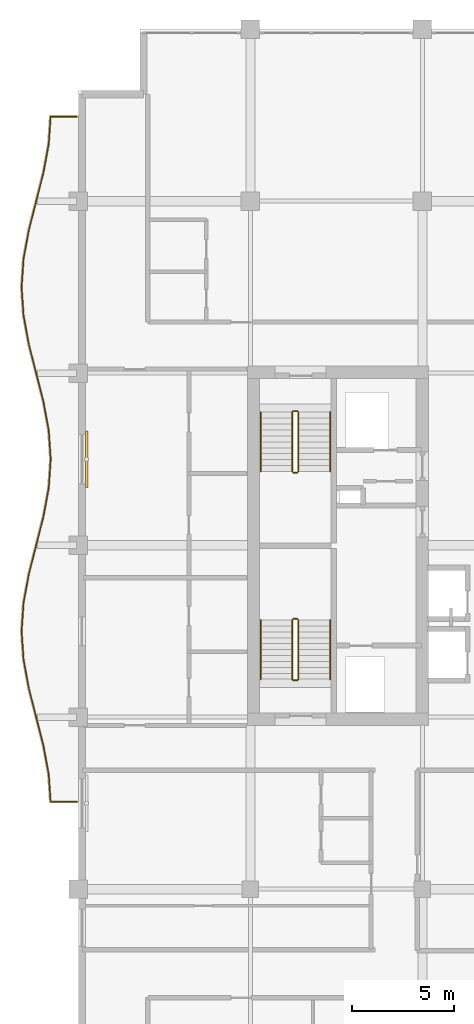
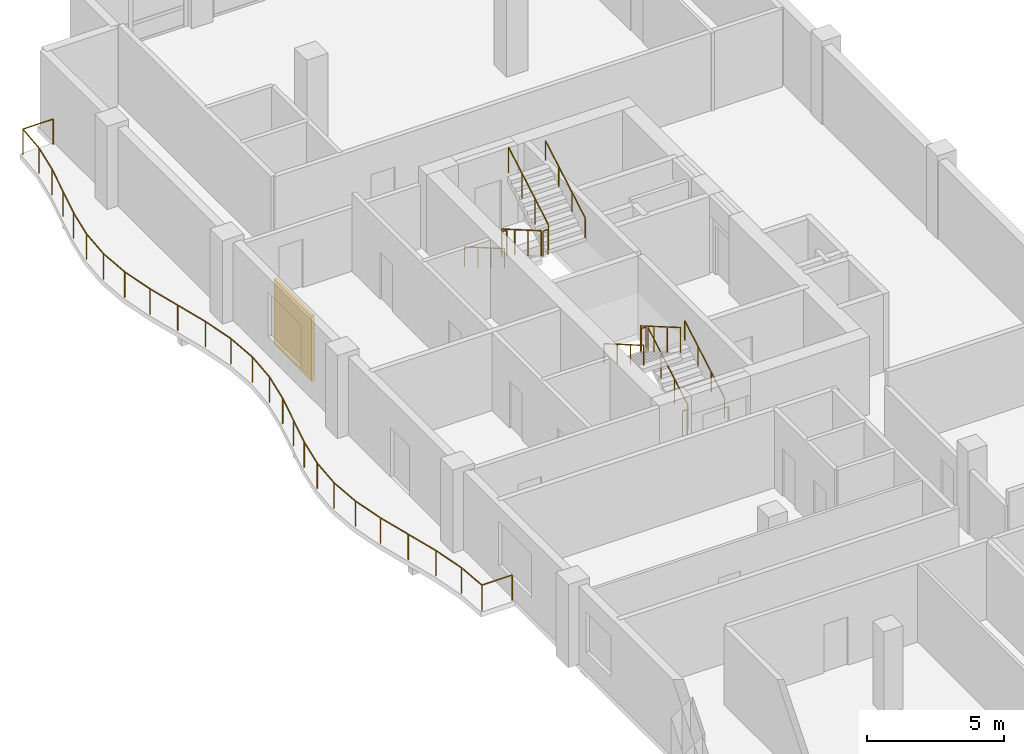
# One storey, part 15 of 16: 13 railings, 1 shading device.
"""IFC4 building model written with IfcOpenShell, lengths in metres."""

from ifc_helpers import new_model, si_unit, direction, frame, origin, origin_2d, place, context, subcontext, project, spatial, rectangle, circle, extrude, material, layer, layer_set, type_object, element, save


model = new_model("IFC4")

# Units and contexts
model_context = context("Model", 3, precision=1e-05, world=origin(), true_north=direction((0.0, 1.0)))
body_context = subcontext(model_context, "Body", "Model", "MODEL_VIEW")
ifc_project = project(units=[si_unit("LENGTHUNIT", "METRE"), si_unit("AREAUNIT", "SQUARE_METRE"), si_unit("VOLUMEUNIT", "CUBIC_METRE"), si_unit("PLANEANGLEUNIT", "RADIAN"), si_unit("MASSUNIT", "GRAM", prefix="KILO")], contexts=[model_context])

# Site, building, storey
site_placement = place(None, origin())
site = spatial("IfcSite", under=ifc_project, at=site_placement, CompositionType="ELEMENT")
building_placement = place(site_placement, origin())
building = spatial("IfcBuilding", under=site, at=building_placement, Name="Koriwani Terraces Tower", CompositionType="ELEMENT")
storey_placement = place(building_placement, frame((0.0, 0.0, 267.5)))
storey = spatial("IfcBuildingStorey", under=building, at=storey_placement, Name="L66", CompositionType="ELEMENT", Elevation=267.5)

# Railings
ifc_material_1 = material(Name="Steel ASTM A572 Grade 50", Category="steel")
railing_type_1 = type_object("IfcRailingType", Name="GUARD_BALUSTRADE_1150", PredefinedType="BALUSTRADE", material=ifc_material_1)
railing_1_placement = place(storey_placement, frame((8.320068359375, 37.8798828125, 0.0)))
element("IfcRailing", 1, at=railing_1_placement, inside=storey, type_object=railing_type_1, Name="L66 Balcony Perimeter Safety Balustrade (W)", PredefinedType="BALUSTRADE", context=body_context, shape_type="SweptSolid", body=[
    extrude(circle(Radius=0.02392578125, at=origin_2d()), frame((0.0, 0.0, 1.1259765625), z_axis=(-1.0, 0.0, 0.0), x_axis=(0.0, -1.0, 0.0)), (0.0, 0.0, 1.0), 1.275146484375),
    extrude(circle(Radius=0.02392578125, at=origin_2d()), frame((-1.275146484375, 0.0, 1.1259765625), z_axis=(-0.068123313151, 0.997676908726, 0.0), x_axis=(-0.997676908726, -0.068123313151, 0.0)), (0.0, 0.0, 1.0), 1.333251953125),
    extrude(circle(Radius=0.02392578125, at=origin_2d()), frame((-1.365966796875, 1.330078125, 1.1259765625), z_axis=(-0.182351913416, 0.983233329212, 0.0), x_axis=(-0.983233329212, -0.182351913416, 0.0)), (0.0, 0.0, 1.0), 1.43115234375),
    extrude(circle(Radius=0.02392578125, at=origin_2d()), frame((-1.626953125, 2.7373046875, 1.1259765625), z_axis=(-0.245775750895, 0.969326714928, 0.0), x_axis=(-0.969326714928, -0.245775750895, 0.0)), (0.0, 0.0, 1.0), 2.888671875),
    extrude(circle(Radius=0.02392578125, at=origin_2d()), frame((-2.3369140625, 5.537353515625, 1.1259765625), z_axis=(-0.182508895706, 0.98320420208, 0.0), x_axis=(-0.98320420208, -0.182508895706, 0.0)), (0.0, 0.0, 1.0), 1.41650390625),
    extrude(circle(Radius=0.02392578125, at=origin_2d()), frame((-2.595458984375, 6.93017578125, 1.1259765625), z_axis=(-0.067821696155, 0.997697457915, 0.0), x_axis=(-0.997697457915, -0.067821696155, 0.0)), (0.0, 0.0, 1.0), 1.39306640625),
    extrude(circle(Radius=0.02392578125, at=origin_2d()), frame((-2.68994140625, 8.320068359375, 1.1259765625), z_axis=(0.067809839848, 0.997698263815, 0.0), x_axis=(-0.997698263815, 0.067809839848, 0.0)), (0.0, 0.0, 1.0), 1.393310546875),
    extrude(circle(Radius=0.02392578125, at=origin_2d()), frame((-2.595458984375, 9.710205078125, 1.1259765625), z_axis=(0.182508895706, 0.98320420208, 0.0), x_axis=(-0.98320420208, 0.182508895706, 0.0)), (0.0, 0.0, 1.0), 1.41650390625),
    extrude(circle(Radius=0.02392578125, at=origin_2d()), frame((-2.3369140625, 11.10302734375, 1.1259765625), z_axis=(0.245775750895, 0.969326714928, 0.0), x_axis=(-0.969326714928, 0.245775750895, 0.0)), (0.0, 0.0, 1.0), 2.888671875),
    extrude(circle(Radius=0.02392578125, at=origin_2d()), frame((-1.626953125, 13.903076171875, 1.1259765625), z_axis=(0.182382502828, 0.983227655562, 0.0), x_axis=(-0.983227655562, 0.182382502828, 0.0)), (0.0, 0.0, 1.0), 1.430908203125),
    extrude(circle(Radius=0.02392578125, at=origin_2d()), frame((-1.365966796875, 15.31005859375, 1.1259765625), z_axis=(0.067711278299, 0.997704957786, 0.0), x_axis=(-0.997704957786, 0.067711278299, 0.0)), (0.0, 0.0, 1.0), 1.413330078125),
    extrude(circle(Radius=0.02392578125, at=origin_2d()), frame((-1.270263671875, 16.72021484375, 1.1259765625), z_axis=(-0.067722949425, 0.997704165633, 0.0), x_axis=(-0.997704165633, -0.067722949425, 0.0)), (0.0, 0.0, 1.0), 1.4130859375),
    extrude(circle(Radius=0.02392578125, at=origin_2d()), frame((-1.365966796875, 18.130126953125, 1.1259765625), z_axis=(-0.182382502828, 0.983227655562, 0.0), x_axis=(-0.983227655562, -0.182382502828, 0.0)), (0.0, 0.0, 1.0), 1.430908203125),
    extrude(circle(Radius=0.02392578125, at=origin_2d()), frame((-1.626953125, 19.537109375, 1.1259765625), z_axis=(-0.245755617389, 0.969331819617, 0.0), x_axis=(-0.969331819617, -0.245755617389, 0.0)), (0.0, 0.0, 1.0), 2.888916015625),
    extrude(circle(Radius=0.02392578125, at=origin_2d()), frame((-2.3369140625, 22.33740234375, 1.1259765625), z_axis=(-0.182508895706, 0.98320420208, 0.0), x_axis=(-0.98320420208, -0.182508895706, 0.0)), (0.0, 0.0, 1.0), 1.41650390625),
    extrude(circle(Radius=0.02392578125, at=origin_2d()), frame((-2.595458984375, 23.730224609375, 1.1259765625), z_axis=(-0.067821696155, 0.997697457915, 0.0), x_axis=(-0.997697457915, -0.067821696155, 0.0)), (0.0, 0.0, 1.0), 1.39306640625),
    extrude(circle(Radius=0.02392578125, at=origin_2d()), frame((-2.68994140625, 25.1201171875, 1.1259765625), z_axis=(0.067821696155, 0.997697457915, 0.0), x_axis=(-0.997697457915, 0.067821696155, 0.0)), (0.0, 0.0, 1.0), 1.39306640625),
    extrude(circle(Radius=0.02392578125, at=origin_2d()), frame((-2.595458984375, 26.510009765625, 1.1259765625), z_axis=(0.182508895706, 0.98320420208, 0.0), x_axis=(-0.98320420208, 0.182508895706, 0.0)), (0.0, 0.0, 1.0), 1.41650390625),
    extrude(circle(Radius=0.02392578125, at=origin_2d()), frame((-2.3369140625, 27.90283203125, 1.1259765625), z_axis=(0.245755617389, 0.969331819617, 0.0), x_axis=(-0.969331819617, 0.245755617389, 0.0)), (0.0, 0.0, 1.0), 2.888916015625),
    extrude(circle(Radius=0.02392578125, at=origin_2d()), frame((-1.626953125, 30.703125, 1.1259765625), z_axis=(0.182382502828, 0.983227655562, 0.0), x_axis=(-0.983227655562, 0.182382502828, 0.0)), (0.0, 0.0, 1.0), 1.430908203125),
    extrude(circle(Radius=0.02392578125, at=origin_2d()), frame((-1.365966796875, 32.110107421875, 1.1259765625), z_axis=(0.068123313151, 0.997676908726, 0.0), x_axis=(-0.997676908726, 0.068123313151, 0.0)), (0.0, 0.0, 1.0), 1.333251953125),
    extrude(circle(Radius=0.02392578125, at=origin_2d()), frame((-1.275146484375, 33.440185546875, 1.1259765625), z_axis=(1.0, 0.0, 0.0), x_axis=(0.0, 1.0, 0.0)), (0.0, 0.0, 1.0), 1.275146484375),
    extrude(circle(Radius=0.02099609375, at=origin_2d()), origin(), (0.0, 0.0, 1.0), 1.101806640625),
    extrude(circle(Radius=0.02099609375, at=origin_2d()), frame((-1.275146484375, 0.0, 0.0)), (0.0, 0.0, 1.0), 1.101806640625),
    extrude(circle(Radius=0.02099609375, at=origin_2d()), frame((-1.365966796875, 1.330078125, 0.0)), (0.0, 0.0, 1.0), 1.101806640625),
    extrude(circle(Radius=0.02099609375, at=origin_2d()), frame((-1.626953125, 2.7373046875, 0.0)), (0.0, 0.0, 1.0), 1.101806640625),
    extrude(circle(Radius=0.02099609375, at=origin_2d()), frame((-1.98193359375, 4.13720703125, 0.0)), (0.0, 0.0, 1.0), 1.101806640625),
    extrude(circle(Radius=0.02099609375, at=origin_2d()), frame((-2.3369140625, 5.537353515625, 0.0)), (0.0, 0.0, 1.0), 1.101806640625),
    extrude(circle(Radius=0.02099609375, at=origin_2d()), frame((-2.595458984375, 6.93017578125, 0.0)), (0.0, 0.0, 1.0), 1.101806640625),
    extrude(circle(Radius=0.02099609375, at=origin_2d()), frame((-2.68994140625, 8.320068359375, 0.0)), (0.0, 0.0, 1.0), 1.101806640625),
    extrude(circle(Radius=0.02099609375, at=origin_2d()), frame((-2.595458984375, 9.710205078125, 0.0)), (0.0, 0.0, 1.0), 1.101806640625),
    extrude(circle(Radius=0.02099609375, at=origin_2d()), frame((-2.3369140625, 11.10302734375, 0.0)), (0.0, 0.0, 1.0), 1.101806640625),
    extrude(circle(Radius=0.02099609375, at=origin_2d()), frame((-1.98193359375, 12.5029296875, 0.0)), (0.0, 0.0, 1.0), 1.101806640625),
    extrude(circle(Radius=0.02099609375, at=origin_2d()), frame((-1.626953125, 13.903076171875, 0.0)), (0.0, 0.0, 1.0), 1.101806640625),
    extrude(circle(Radius=0.02099609375, at=origin_2d()), frame((-1.365966796875, 15.31005859375, 0.0)), (0.0, 0.0, 1.0), 1.101806640625),
    extrude(circle(Radius=0.02099609375, at=origin_2d()), frame((-1.270263671875, 16.72021484375, 0.0)), (0.0, 0.0, 1.0), 1.101806640625),
    extrude(circle(Radius=0.02099609375, at=origin_2d()), frame((-1.365966796875, 18.130126953125, 0.0)), (0.0, 0.0, 1.0), 1.101806640625),
    extrude(circle(Radius=0.02099609375, at=origin_2d()), frame((-1.626953125, 19.537109375, 0.0)), (0.0, 0.0, 1.0), 1.101806640625),
    extrude(circle(Radius=0.02099609375, at=origin_2d()), frame((-1.98193359375, 20.937255859375, 0.0)), (0.0, 0.0, 1.0), 1.101806640625),
    extrude(circle(Radius=0.02099609375, at=origin_2d()), frame((-2.3369140625, 22.33740234375, 0.0)), (0.0, 0.0, 1.0), 1.101806640625),
    extrude(circle(Radius=0.02099609375, at=origin_2d()), frame((-2.595458984375, 23.730224609375, 0.0)), (0.0, 0.0, 1.0), 1.101806640625),
    extrude(circle(Radius=0.02099609375, at=origin_2d()), frame((-2.68994140625, 25.1201171875, 0.0)), (0.0, 0.0, 1.0), 1.101806640625),
    extrude(circle(Radius=0.02099609375, at=origin_2d()), frame((-2.595458984375, 26.510009765625, 0.0)), (0.0, 0.0, 1.0), 1.101806640625),
    extrude(circle(Radius=0.02099609375, at=origin_2d()), frame((-2.3369140625, 27.90283203125, 0.0)), (0.0, 0.0, 1.0), 1.101806640625),
    extrude(circle(Radius=0.02099609375, at=origin_2d()), frame((-1.98193359375, 29.302978515625, 0.0)), (0.0, 0.0, 1.0), 1.101806640625),
    extrude(circle(Radius=0.02099609375, at=origin_2d()), frame((-1.626953125, 30.703125, 0.0)), (0.0, 0.0, 1.0), 1.101806640625),
    extrude(circle(Radius=0.02099609375, at=origin_2d()), frame((-1.365966796875, 32.110107421875, 0.0)), (0.0, 0.0, 1.0), 1.101806640625),
    extrude(circle(Radius=0.02099609375, at=origin_2d()), frame((-1.275146484375, 33.440185546875, 0.0)), (0.0, 0.0, 1.0), 1.101806640625),
    extrude(circle(Radius=0.02099609375, at=origin_2d()), frame((0.0, 33.440185546875, 0.0)), (0.0, 0.0, 1.0), 1.101806640625),
])
railing_type_2 = type_object("IfcRailingType", Name="GUARD_STAIR_WELL_1120", PredefinedType="GUARDRAIL", material=ifc_material_1)
railing_2_placement = place(storey_placement, frame((19.14990234375, 43.85009765625, 0.168212890625)))
element("IfcRailing", 2, at=railing_2_placement, inside=storey, type_object=railing_type_2, Name="L66 ST-W1 stair guard 1", PredefinedType="GUARDRAIL", context=body_context, shape_type="SweptSolid", body=[
    extrude(circle(Radius=0.02392578125, at=origin_2d()), frame((0.0, 0.0, 1.1259765625), z_axis=(0.0, 0.865038774852, 0.501705010941), x_axis=(-1.0, 0.0, 0.0)), (0.0, 0.0, 1.0), 3.352294921875),
    extrude(circle(Radius=0.02099609375, at=origin_2d()), origin(), (0.0, 0.0, 1.0), 1.101806640625),
    extrude(circle(Radius=0.02099609375, at=origin_2d()), frame((0.0, 0.966552734375, 0.560546875)), (0.0, 0.0, 1.0), 1.101806640625),
    extrude(circle(Radius=0.02099609375, at=origin_2d()), frame((0.0, 1.933349609375, 1.121337890625)), (0.0, 0.0, 1.0), 1.101806640625),
    extrude(circle(Radius=0.02099609375, at=origin_2d()), frame((0.0, 2.89990234375, 1.681884765625)), (0.0, 0.0, 1.0), 1.101806640625),
])
railing_3_placement = place(storey_placement, frame((19.10009765625, 46.800048828125, 1.85009765625)))
element("IfcRailing", 3, at=railing_3_placement, inside=storey, type_object=railing_type_2, Name="L66 ST-W1 stair guard 2", PredefinedType="GUARDRAIL", context=body_context, shape_type="SweptSolid", body=[
    extrude(circle(Radius=0.02392578125, at=origin_2d()), frame((0.0, 0.0, 1.1259765625), z_axis=(-1.0, 0.0, 0.0), x_axis=(0.0, -1.0, 0.0)), (0.0, 0.0, 1.0), 0.2001953125),
    extrude(circle(Radius=0.02099609375, at=origin_2d()), origin(), (0.0, 0.0, 1.0), 1.101806640625),
    extrude(circle(Radius=0.02099609375, at=origin_2d()), frame((-0.2001953125, 0.0, 0.0)), (0.0, 0.0, 1.0), 1.101806640625),
])
railing_4_placement = place(storey_placement, frame((18.85009765625, 46.75, 2.01806640625)))
element("IfcRailing", 4, at=railing_4_placement, inside=storey, type_object=railing_type_2, Name="L66 ST-W1 stair guard 3", PredefinedType="GUARDRAIL", context=body_context, shape_type="SweptSolid", body=[
    extrude(circle(Radius=0.02392578125, at=origin_2d()), frame((0.0, 0.0, 1.1259765625), z_axis=(0.0, -0.865038774852, 0.501705010941), x_axis=(1.0, 0.0, 0.0)), (0.0, 0.0, 1.0), 3.352294921875),
    extrude(circle(Radius=0.02099609375, at=origin_2d()), origin(), (0.0, 0.0, 1.0), 1.101806640625),
    extrude(circle(Radius=0.02099609375, at=origin_2d()), frame((0.0, -0.966552734375, 0.560546875)), (0.0, 0.0, 1.0), 1.101806640625),
    extrude(circle(Radius=0.02099609375, at=origin_2d()), frame((0.0, -1.933349609375, 1.121337890625)), (0.0, 0.0, 1.0), 1.101806640625),
    extrude(circle(Radius=0.02099609375, at=origin_2d()), frame((0.0, -2.89990234375, 1.681884765625)), (0.0, 0.0, 1.0), 1.101806640625),
])
railing_5_placement = place(storey_placement, frame((19.10009765625, 43.800048828125, 0.0)))
element("IfcRailing", 5, at=railing_5_placement, inside=storey, type_object=railing_type_2, Name="L66 ST-W1 stair guard 4", PredefinedType="GUARDRAIL", context=body_context, shape_type="SweptSolid", body=[
    extrude(circle(Radius=0.02392578125, at=origin_2d()), frame((0.0, 0.0, 1.1259765625), z_axis=(-1.0, 0.0, 0.0), x_axis=(0.0, -1.0, 0.0)), (0.0, 0.0, 1.0), 0.2001953125),
    extrude(circle(Radius=0.02099609375, at=origin_2d()), origin(), (0.0, 0.0, 1.0), 1.101806640625),
    extrude(circle(Radius=0.02099609375, at=origin_2d()), frame((-0.2001953125, 0.0, 0.0)), (0.0, 0.0, 1.0), 1.101806640625),
])
railing_6_placement = place(storey_placement, frame((18.85009765625, 56.89990234375, 0.168212890625)))
element("IfcRailing", 6, at=railing_6_placement, inside=storey, type_object=railing_type_2, Name="L66 ST-W2 stair guard 1", PredefinedType="GUARDRAIL", context=body_context, shape_type="SweptSolid", body=[
    extrude(circle(Radius=0.02392578125, at=origin_2d()), frame((0.0, 0.0, 1.1259765625), z_axis=(0.0, -0.865038774852, 0.501705010941), x_axis=(1.0, 0.0, 0.0)), (0.0, 0.0, 1.0), 3.352294921875),
    extrude(circle(Radius=0.02099609375, at=origin_2d()), origin(), (0.0, 0.0, 1.0), 1.101806640625),
    extrude(circle(Radius=0.02099609375, at=origin_2d()), frame((0.0, -0.966552734375, 0.560546875)), (0.0, 0.0, 1.0), 1.101806640625),
    extrude(circle(Radius=0.02099609375, at=origin_2d()), frame((0.0, -1.933349609375, 1.121337890625)), (0.0, 0.0, 1.0), 1.101806640625),
    extrude(circle(Radius=0.02099609375, at=origin_2d()), frame((0.0, -2.89990234375, 1.681884765625)), (0.0, 0.0, 1.0), 1.101806640625),
])
railing_7_placement = place(storey_placement, frame((18.89990234375, 53.949951171875, 1.85009765625)))
element("IfcRailing", 7, at=railing_7_placement, inside=storey, type_object=railing_type_2, Name="L66 ST-W2 stair guard 2", PredefinedType="GUARDRAIL", context=body_context, shape_type="SweptSolid", body=[
    extrude(circle(Radius=0.02392578125, at=origin_2d()), frame((0.0, 0.0, 1.1259765625), z_axis=(1.0, 0.0, 0.0), x_axis=(0.0, 1.0, 0.0)), (0.0, 0.0, 1.0), 0.2001953125),
    extrude(circle(Radius=0.02099609375, at=origin_2d()), origin(), (0.0, 0.0, 1.0), 1.101806640625),
    extrude(circle(Radius=0.02099609375, at=origin_2d()), frame((0.2001953125, 0.0, 0.0)), (0.0, 0.0, 1.0), 1.101806640625),
])
railing_8_placement = place(storey_placement, frame((19.14990234375, 54.0, 2.01806640625)))
element("IfcRailing", 8, at=railing_8_placement, inside=storey, type_object=railing_type_2, Name="L66 ST-W2 stair guard 3", PredefinedType="GUARDRAIL", context=body_context, shape_type="SweptSolid", body=[
    extrude(circle(Radius=0.02392578125, at=origin_2d()), frame((0.0, 0.0, 1.1259765625), z_axis=(0.0, 0.865038774852, 0.501705010941), x_axis=(-1.0, 0.0, 0.0)), (0.0, 0.0, 1.0), 3.352294921875),
    extrude(circle(Radius=0.02099609375, at=origin_2d()), origin(), (0.0, 0.0, 1.0), 1.101806640625),
    extrude(circle(Radius=0.02099609375, at=origin_2d()), frame((0.0, 0.966552734375, 0.560546875)), (0.0, 0.0, 1.0), 1.101806640625),
    extrude(circle(Radius=0.02099609375, at=origin_2d()), frame((0.0, 1.933349609375, 1.121337890625)), (0.0, 0.0, 1.0), 1.101806640625),
    extrude(circle(Radius=0.02099609375, at=origin_2d()), frame((0.0, 2.89990234375, 1.681884765625)), (0.0, 0.0, 1.0), 1.101806640625),
])
railing_9_placement = place(storey_placement, frame((18.89990234375, 56.949951171875, 0.0)))
element("IfcRailing", 9, at=railing_9_placement, inside=storey, type_object=railing_type_2, Name="L66 ST-W2 stair guard 4", PredefinedType="GUARDRAIL", context=body_context, shape_type="SweptSolid", body=[
    extrude(circle(Radius=0.02392578125, at=origin_2d()), frame((0.0, 0.0, 1.1259765625), z_axis=(1.0, 0.0, 0.0), x_axis=(0.0, 1.0, 0.0)), (0.0, 0.0, 1.0), 0.2001953125),
    extrude(circle(Radius=0.02099609375, at=origin_2d()), origin(), (0.0, 0.0, 1.0), 1.101806640625),
    extrude(circle(Radius=0.02099609375, at=origin_2d()), frame((0.2001953125, 0.0, 0.0)), (0.0, 0.0, 1.0), 1.101806640625),
])
railing_type_3 = type_object("IfcRailingType", Name="HANDRAIL_STAIR_920", PredefinedType="HANDRAIL", material=ifc_material_1)
railing_10_placement = place(storey_placement, frame((20.699951171875, 43.85009765625, 0.168212890625)))
element("IfcRailing", 10, at=railing_10_placement, inside=storey, type_object=railing_type_3, Name="L66 ST-W1 stair handrail 1", PredefinedType="HANDRAIL", context=body_context, shape_type="SweptSolid", body=[
    extrude(circle(Radius=0.02392578125, at=origin_2d()), frame((0.0, 0.0, 0.8759765625), z_axis=(0.0, 0.865038774852, 0.501705010941), x_axis=(-1.0, 0.0, 0.0)), (0.0, 0.0, 1.0), 3.352294921875),
    extrude(circle(Radius=0.02099609375, at=origin_2d()), origin(), (0.0, 0.0, 1.0), 0.851806640625),
    extrude(circle(Radius=0.02099609375, at=origin_2d()), frame((0.0, 0.966552734375, 0.560546875)), (0.0, 0.0, 1.0), 0.851806640625),
    extrude(circle(Radius=0.02099609375, at=origin_2d()), frame((0.0, 1.933349609375, 1.121337890625)), (0.0, 0.0, 1.0), 0.851806640625),
    extrude(circle(Radius=0.02099609375, at=origin_2d()), frame((0.0, 2.89990234375, 1.681884765625)), (0.0, 0.0, 1.0), 0.851806640625),
])
for number, where, name in (
    (11, (17.300048828125, 46.75, 2.01806640625), "L66 ST-W1 stair handrail 2"),
    (12, (17.300048828125, 56.89990234375, 0.168212890625), "L66 ST-W2 stair handrail 1"),
):
    element("IfcRailing", number, at=place(storey_placement, frame(where)), inside=storey, type_object=railing_type_3, Name=name, PredefinedType="HANDRAIL", context=body_context, shape_type="SweptSolid", body=[
        extrude(circle(Radius=0.02392578125, at=origin_2d()), frame((0.0, 0.0, 0.8759765625), z_axis=(0.0, -0.865038774852, 0.501705010941), x_axis=(1.0, 0.0, 0.0)), (0.0, 0.0, 1.0), 3.352294921875),
        extrude(circle(Radius=0.02099609375, at=origin_2d()), origin(), (0.0, 0.0, 1.0), 0.851806640625),
        extrude(circle(Radius=0.02099609375, at=origin_2d()), frame((0.0, -0.966552734375, 0.560546875)), (0.0, 0.0, 1.0), 0.851806640625),
        extrude(circle(Radius=0.02099609375, at=origin_2d()), frame((0.0, -1.933349609375, 1.121337890625)), (0.0, 0.0, 1.0), 0.851806640625),
        extrude(circle(Radius=0.02099609375, at=origin_2d()), frame((0.0, -2.89990234375, 1.681884765625)), (0.0, 0.0, 1.0), 0.851806640625),
    ])
railing_11_placement = place(storey_placement, frame((20.699951171875, 54.0, 2.01806640625)))
element("IfcRailing", 13, at=railing_11_placement, inside=storey, type_object=railing_type_3, Name="L66 ST-W2 stair handrail 2", PredefinedType="HANDRAIL", context=body_context, shape_type="SweptSolid", body=[
    extrude(circle(Radius=0.02392578125, at=origin_2d()), frame((0.0, 0.0, 0.8759765625), z_axis=(0.0, 0.865038774852, 0.501705010941), x_axis=(-1.0, 0.0, 0.0)), (0.0, 0.0, 1.0), 3.352294921875),
    extrude(circle(Radius=0.02099609375, at=origin_2d()), origin(), (0.0, 0.0, 1.0), 0.851806640625),
    extrude(circle(Radius=0.02099609375, at=origin_2d()), frame((0.0, 0.966552734375, 0.560546875)), (0.0, 0.0, 1.0), 0.851806640625),
    extrude(circle(Radius=0.02099609375, at=origin_2d()), frame((0.0, 1.933349609375, 1.121337890625)), (0.0, 0.0, 1.0), 0.851806640625),
    extrude(circle(Radius=0.02099609375, at=origin_2d()), frame((0.0, 2.89990234375, 1.681884765625)), (0.0, 0.0, 1.0), 0.851806640625),
])

# Shading device
ifc_material_2 = material(Name="Extruded Terracotta Clay", Category="masonry")
ifc_layer = layer(ifc_material_2, 0.1201171875, Name="Extruded Terracotta Clay")
ifc_layer_set = layer_set([ifc_layer], Name="Extruded Terracotta Clay")
shading_device_type = type_object("IfcShadingDeviceType", Name="TERRACOTTA_BAGUETTE_SCREEN_2800", PredefinedType="USERDEFINED", material=ifc_layer_set)
shading_device_placement = place(storey_placement, frame((8.804931640625, 54.60009765625, 0.28515625), z_axis=(0.0, 0.0, 1.0), x_axis=(0.0, 1.0, 0.0)))
element("IfcShadingDevice", 14, at=shading_device_placement, inside=storey, type_object=shading_device_type, Name="L66 Extruded Terracotta Baguette Screen (W-15)", ObjectType="BAGUETTE", PredefinedType="USERDEFINED", context=body_context, shape_type="SweptSolid", body=[
    extrude(rectangle(XDim=2.760009765625, YDim=0.1201171875, at=origin_2d()), origin(), (0.0, 0.0, 1.0), 2.89990234375),
])

save(model, "model.ifc")
